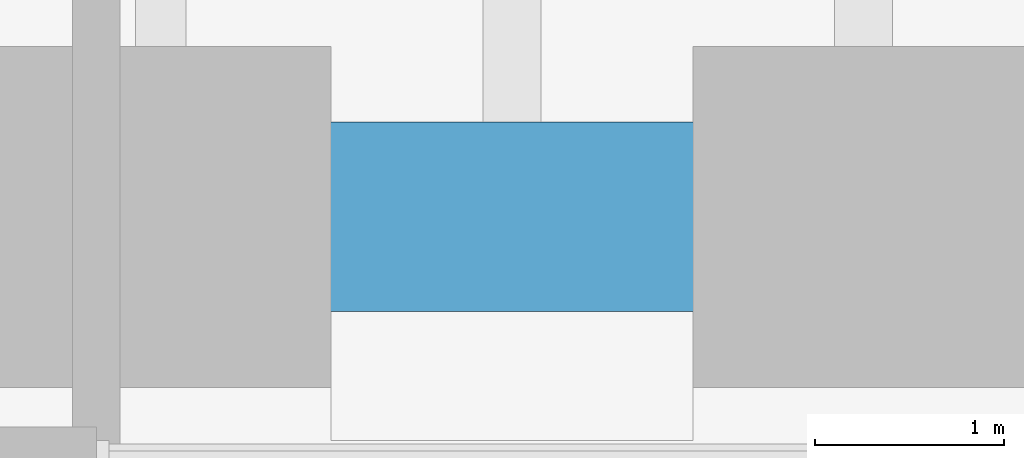
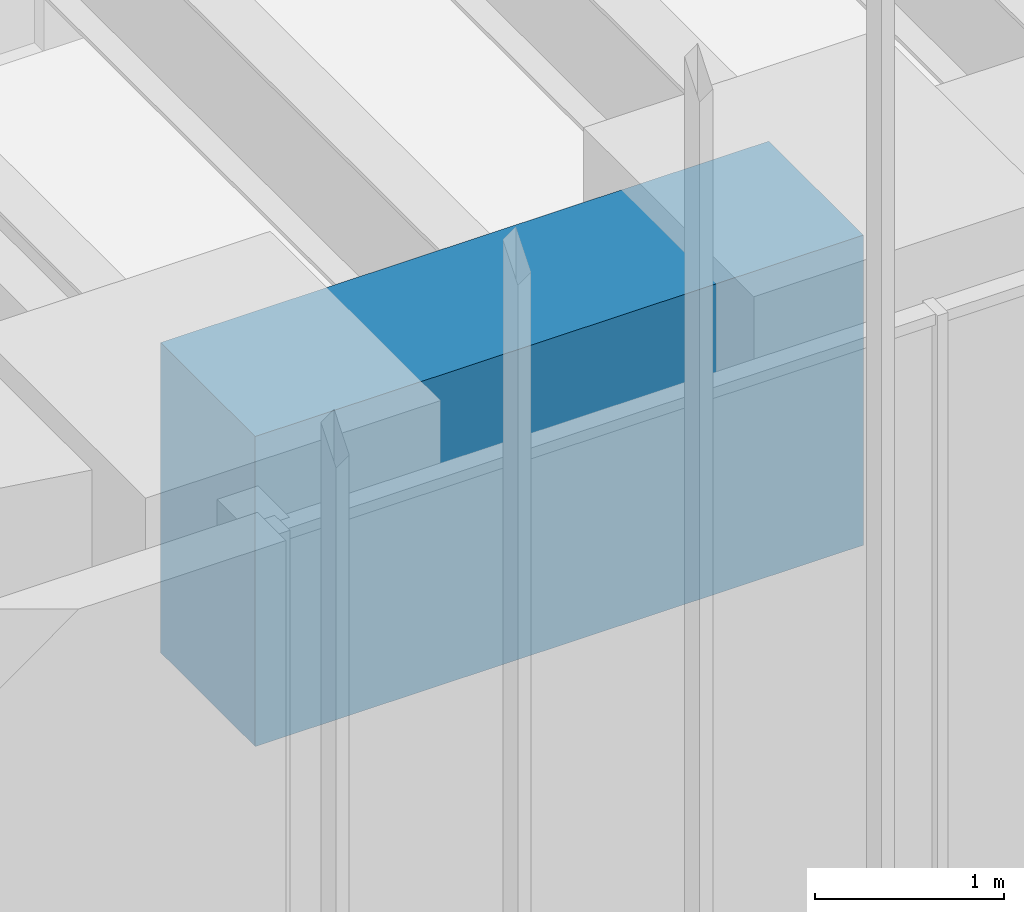
# One storey, part 34 of 228: 1 beam.
"""IFC4 building model written with IfcOpenShell, lengths in metres."""

from ifc_helpers import new_model, si_unit, direction, frame, origin, origin_2d, place, context, subcontext, project, spatial, rectangle, extrude, material, material_profile, profile_set, type_object, element, save


model = new_model("IFC4")

# Units and contexts
model_context = context("Model", 3, precision=1e-05, world=origin(), true_north=direction((0.0, 1.0)))
body_context = subcontext(model_context, "Body", "Model", "MODEL_VIEW")
ifc_project = project(units=[si_unit("LENGTHUNIT", "METRE"), si_unit("AREAUNIT", "SQUARE_METRE"), si_unit("VOLUMEUNIT", "CUBIC_METRE"), si_unit("PLANEANGLEUNIT", "RADIAN"), si_unit("MASSUNIT", "GRAM", prefix="KILO")], contexts=[model_context])

# Site, building, storey
site_placement = place(None, origin())
site = spatial("IfcSite", under=ifc_project, at=site_placement, CompositionType="ELEMENT")
building_placement = place(site_placement, origin())
building = spatial("IfcBuilding", under=site, at=building_placement, Name="Sandreach Pilgrim Tower", CompositionType="ELEMENT")
storey_placement = place(building_placement, frame((0.0, 0.0, 178.199951171875)))
storey = spatial("IfcBuildingStorey", under=building, at=storey_placement, Name="L44", CompositionType="ELEMENT", Elevation=178.199951171875)

# Beam
ifc_material = material(Name="Concrete 10000 psi", Category="concrete")
ifc_material_profile = material_profile(ifc_material, rectangle(XDim=1.0, YDim=2.0, at=origin_2d()), Name="RC1000X2000")
ifc_profile_set = profile_set([ifc_material_profile], Name="Concrete 10000 psi")
beam_type = type_object("IfcBeamType", Name="Spandrel beam RC1000X2000", PredefinedType="SPANDREL", material=ifc_profile_set)
beam_placement = place(storey_placement, frame((0.0, -25.26513671875, 3.840087890625), z_axis=(-1.0, 0.0, 0.0), x_axis=(0.0, -1.0, 0.0)))
element("IfcBeam", 1, at=beam_placement, inside=storey, type_object=beam_type, Name="BM L44 SP24", PredefinedType="SPANDREL", context=body_context, shape_type="SweptSolid", body=[
    extrude(rectangle(XDim=1.0, YDim=2.0, at=origin_2d()), origin(), (0.0, 0.0, 1.0), 3.71044921875),
])

save(model, "model.ifc")
